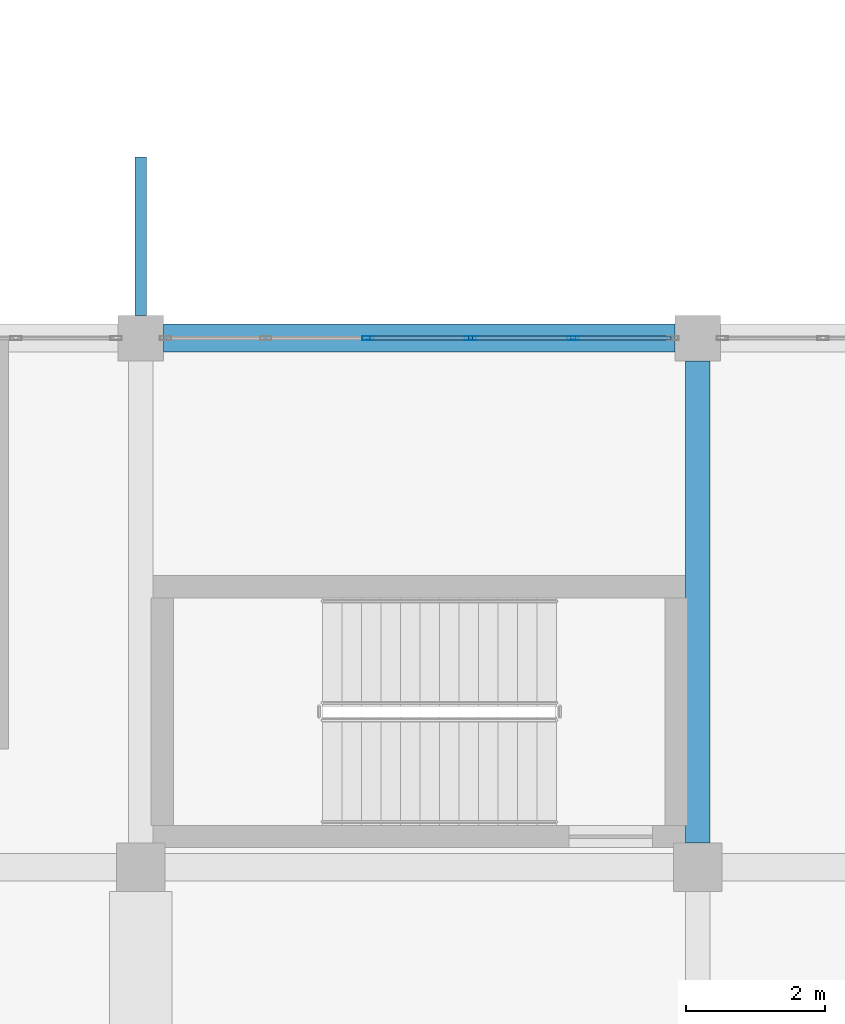
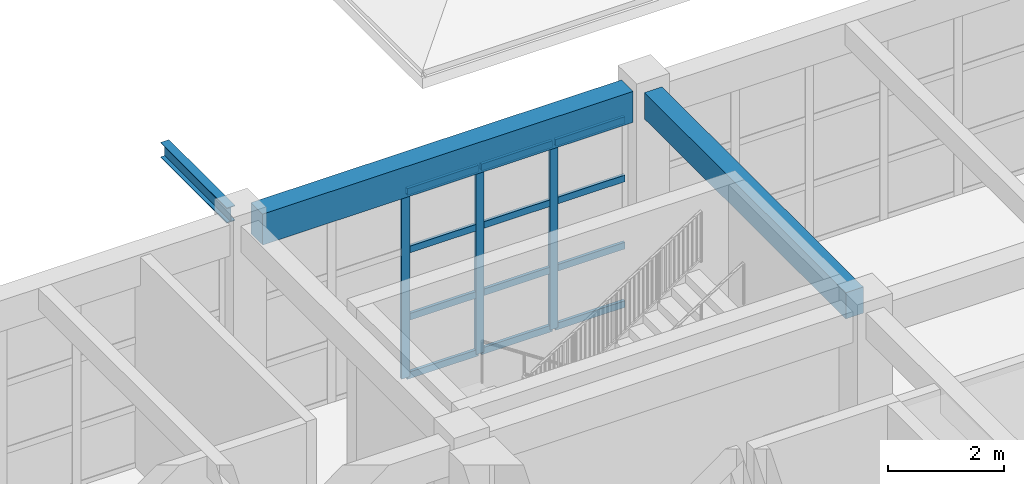
# One storey, part 27 of 50: 15 members, 3 beams, 1 element without a shape of its own.
"""IFC4 building model written with IfcOpenShell, lengths in metres."""

import ifcopenshell
import ifcopenshell.guid

model = None  # the IFC model being written
_history = None  # IfcOwnerHistory: only IFC2X3 demands one
_inside = {}  # id of a spatial element -> (the spatial element, [elements in it])
_under = {}  # id of a project, library or spatial element -> (it, [spatial elements below it])
_declared = {}  # id of a project -> (the project, [libraries it declares])
_typed = {}  # id of a type object -> (the type object, [elements of that type])
_made_of = {}  # id of a material, layer set ... -> (it, [elements and type objects made of it])


def new_model(schema):
    """Start an empty IFC model of exactly this schema.

    Asked for "IFC4X3", IfcOpenShell would pick the latest addendum, in which some entities
    have other attributes; the version numbers below select the first issue.
    IFC2X3 requires an IfcOwnerHistory on every rooted entity: one is made here for all.
    """
    global model, _history
    if schema == "IFC4X3":
        model = ifcopenshell.file(schema_version=(4, 3, 0, 0))
    else:
        model = ifcopenshell.file(schema=schema)
    _inside.clear()
    _under.clear()
    _declared.clear()
    _typed.clear()
    _made_of.clear()
    _history = None
    if model.schema == "IFC2X3":
        org = make("IfcOrganization", Name="unknown")
        user = make(
            "IfcPersonAndOrganization",
            ThePerson=make("IfcPerson", FamilyName="unknown"),
            TheOrganization=org,
        )
        app = make(
            "IfcApplication",
            ApplicationDeveloper=org,
            Version="unknown",
            ApplicationFullName="unknown",
            ApplicationIdentifier="unknown",
        )
        _history = make(
            "IfcOwnerHistory",
            OwningUser=user,
            OwningApplication=app,
            ChangeAction="ADDED",
            CreationDate=0,
        )
    return model


def make(cls, **values):
    """One entity of the class cls with the attributes given. An attribute that is None is left unset."""
    return model.create_entity(
        cls, **{name: value for name, value in values.items() if value is not None}
    )


def rooted(cls, **values):
    """An entity with a GlobalId (a new one), such as an element, a storey or a relation."""
    return make(cls, GlobalId=ifcopenshell.guid.new(), OwnerHistory=_history, **values)


def si_unit(unit_type, name, prefix=None):
    """IfcSIUnit, for example si_unit("LENGTHUNIT", "METRE", prefix="MILLI")."""
    return make("IfcSIUnit", UnitType=unit_type, Prefix=prefix, Name=name)


def assignment(units):
    """IfcUnitAssignment: the units of a project."""
    return None if units is None else make("IfcUnitAssignment", Units=units)


def point(xyz):
    """IfcCartesianPoint."""
    return None if xyz is None else make("IfcCartesianPoint", Coordinates=xyz)


def direction(xyz):
    """IfcDirection."""
    return None if xyz is None else make("IfcDirection", DirectionRatios=xyz)


def frame(location, z_axis=None, x_axis=None):
    """IfcAxis2Placement3D, a coordinate frame: its origin and axes. An axis left out is left unset."""
    return make(
        "IfcAxis2Placement3D",
        Location=point(location),
        Axis=direction(z_axis),
        RefDirection=direction(x_axis),
    )


def frame_2d(location, x_axis=None):
    """IfcAxis2Placement2D, a coordinate frame in the plane: its origin and x axis."""
    return make(
        "IfcAxis2Placement2D", Location=point(location), RefDirection=direction(x_axis)
    )


def origin():
    """The frame at (0, 0, 0) with its axes left unset."""
    return frame((0.0, 0.0, 0.0))


def origin_2d():
    """The frame at (0, 0) in the plane with its x axis left unset."""
    return frame_2d((0.0, 0.0))


def place(relative_to, where):
    """IfcLocalPlacement: puts the frame where relative to a parent placement (None: the world)."""
    return make(
        "IfcLocalPlacement", PlacementRelTo=relative_to, RelativePlacement=where
    )


def context(
    kind, dimensions, precision=None, world=None, true_north=None, identifier=None
):
    """IfcGeometricRepresentationContext, for example the 3D "Model" context."""
    return make(
        "IfcGeometricRepresentationContext",
        ContextIdentifier=identifier,
        ContextType=kind,
        CoordinateSpaceDimension=dimensions,
        Precision=precision,
        WorldCoordinateSystem=world,
        TrueNorth=true_north,
    )


def subcontext(parent, identifier, kind, view, scale=None):
    """IfcGeometricRepresentationSubContext, for example "Body" below "Model"."""
    return make(
        "IfcGeometricRepresentationSubContext",
        ContextIdentifier=identifier,
        ContextType=kind,
        ParentContext=parent,
        TargetScale=scale,
        TargetView=view,
    )


def project(units=None, contexts=None):
    """IfcProject with its units and contexts."""
    return rooted(
        "IfcProject",
        Name="project",
        RepresentationContexts=contexts,
        UnitsInContext=assignment(units),
    )


def spatial(cls, under=None, at=None, **own):
    """A site, building, storey or space (cls), placed at a placement, below another one or the project."""
    s = rooted(cls, ObjectPlacement=at, **own)
    if under is not None:
        _under.setdefault(under.id(), (under, []))[1].append(s)
    return s


def profile(cls, at=None, kind="AREA", **sizes):
    """A parametric profile (cls). Its sizes go by their IFC names, for example OverallWidth=200.0."""
    return make(cls, ProfileType=kind, Position=at, **sizes)


def rectangle(**sizes):
    """IfcRectangleProfileDef."""
    return profile("IfcRectangleProfileDef", **sizes)


def hollow_rectangle(**sizes):
    """IfcRectangleHollowProfileDef."""
    return profile("IfcRectangleHollowProfileDef", **sizes)


def i_section(**sizes):
    """IfcIShapeProfileDef."""
    return profile("IfcIShapeProfileDef", **sizes)


def extrude(swept, where, along, depth):
    """IfcExtrudedAreaSolid: the profile swept, set in the frame where, extruded along a direction by depth."""
    return make(
        "IfcExtrudedAreaSolid",
        SweptArea=swept,
        Position=where,
        ExtrudedDirection=direction(along),
        Depth=depth,
    )


def shape(context_of_items, identifier, shape_type, items):
    """IfcShapeRepresentation: the items that make up one representation, for example the "Body"."""
    return make(
        "IfcShapeRepresentation",
        ContextOfItems=context_of_items,
        RepresentationIdentifier=identifier,
        RepresentationType=shape_type,
        Items=items,
    )


def material(Name=None, Category=None):
    """IfcMaterial."""
    return make("IfcMaterial", Name=Name, Category=Category)


def material_profile(
    of_material, cross_section, Name=None, Category=None, Priority=None
):
    """IfcMaterialProfile: a cross section and its material."""
    return make(
        "IfcMaterialProfile",
        Name=Name,
        Material=of_material,
        Profile=cross_section,
        Priority=Priority,
        Category=Category,
    )


def profile_set(profiles, Name=None, composite=None):
    """IfcMaterialProfileSet."""
    return make(
        "IfcMaterialProfileSet",
        Name=Name,
        MaterialProfiles=profiles,
        CompositeProfile=composite,
    )


def made_of(thing, what):
    """Note that an element or type object is made of a material, layer set ...; save() writes the relation."""
    if what is not None:
        _made_of.setdefault(what.id(), (what, []))[1].append(thing)
    return thing


def type_object(cls, material=None, **own):
    """A type object (cls), such as IfcWallType, which elements share."""
    return made_of(rooted(cls, **own), material)


def element(
    cls,
    number,
    at=None,
    inside=None,
    cuts=None,
    type_object=None,
    material=None,
    context=None,
    identifier="Body",
    shape_type=None,
    held_by="IfcProductDefinitionShape",
    body=None,
    shapes=None,
    **own,
):
    """One element of the class cls, such as IfcWall. Its Tag is "e" and its number.

    at: its placement. inside: the storey or other place that contains it. cuts: it is an
    opening in that element (IfcRelVoidsElement). A single representation is given by context,
    identifier, shape_type and body (its items); several are given by shapes. held_by: the class
    of the entity that holds the representations. save() writes the other relations.
    """
    e = rooted(cls, Tag="e%d" % number, ObjectPlacement=at, **own)
    if body is not None:
        shapes = [shape(context, identifier, shape_type, body)]
    if shapes is not None:
        e.Representation = make(held_by, Representations=shapes)
    if inside is not None:
        _inside.setdefault(inside.id(), (inside, []))[1].append(e)
    if cuts is not None:
        rooted(
            "IfcRelVoidsElement", RelatingBuildingElement=cuts, RelatedOpeningElement=e
        )
    if type_object is not None:
        _typed.setdefault(type_object.id(), (type_object, []))[1].append(e)
    return made_of(e, material)


def aggregate(whole, parts):
    """IfcRelAggregates: a whole, such as a stair, and the parts it consists of."""
    return rooted("IfcRelAggregates", RelatingObject=whole, RelatedObjects=parts)


def save(model, path):
    """Write the relations noted so far, then the file.

    IfcRelAggregates (storeys below a building ...), IfcRelContainedInSpatialStructure (elements
    in a storey), IfcRelDefinesByType, IfcRelAssociatesMaterial and IfcRelDeclares: one each for
    every whole, place, type object, material and project.
    """
    for whole, parts in _under.values():
        aggregate(whole, parts)
    for where, things in _inside.values():
        rooted(
            "IfcRelContainedInSpatialStructure",
            RelatedElements=things,
            RelatingStructure=where,
        )
    for kind, things in _typed.values():
        rooted("IfcRelDefinesByType", RelatedObjects=things, RelatingType=kind)
    for what, things in _made_of.values():
        rooted("IfcRelAssociatesMaterial", RelatedObjects=things, RelatingMaterial=what)
    for by, libraries in _declared.values():
        rooted("IfcRelDeclares", RelatingContext=by, RelatedDefinitions=libraries)
    model.write(path)


model = new_model("IFC4")

# Units and contexts
model_context = context("Model", 3, precision=1e-05, world=origin(), true_north=direction((0.0, 1.0)))
body_context = subcontext(model_context, "Body", "Model", "MODEL_VIEW")
ifc_project = project(units=[si_unit("LENGTHUNIT", "METRE"), si_unit("AREAUNIT", "SQUARE_METRE"), si_unit("VOLUMEUNIT", "CUBIC_METRE"), si_unit("PLANEANGLEUNIT", "RADIAN"), si_unit("MASSUNIT", "GRAM", prefix="KILO")], contexts=[model_context])

# Site, building, storey
site_placement = place(None, origin())
site = spatial("IfcSite", under=ifc_project, at=site_placement, CompositionType="ELEMENT")
building_placement = place(site_placement, origin())
building = spatial("IfcBuilding", under=site, at=building_placement, Name="Zantavel Square City Hall", CompositionType="ELEMENT")
storey_placement = place(building_placement, frame((0.0, 0.0, 18.89990234375)))
storey = spatial("IfcBuildingStorey", under=building, at=storey_placement, Name="L05", CompositionType="ELEMENT", Elevation=18.89990234375)

# Curtain wall, members
ifc_material_1 = material(Name="Anodised aluminium 6063-T6", Category="aluminium")
curtain_wall_type = type_object("IfcCurtainWallType", Name="Curtain Wall TRV1 7350x3920", PredefinedType="USERDEFINED", material=ifc_material_1)
curtain_wall_placement = place(storey_placement, origin())
curtain_wall = element("IfcCurtainWall", 1, at=curtain_wall_placement, inside=storey, type_object=curtain_wall_type, Name="L05 Glazed Curtain Wall CW-L05-127", ObjectType="GLAZED CURTAIN WALL", PredefinedType="USERDEFINED")
ifc_material_profile_1 = material_profile(ifc_material_1, hollow_rectangle(XDim=0.06005859375, YDim=0.1650390625, WallThickness=0.00390625, at=origin_2d()), Name="ALU 60x165x4")
ifc_profile_set_1 = profile_set([ifc_material_profile_1], Name="Anodised aluminium 6063-T6")
member_type_1 = type_object("IfcMemberType", Name="CW Council Gallery Mullion ALU 60x165x4", PredefinedType="MULLION", material=ifc_profile_set_1)
member_1_placement = place(storey_placement, frame((99.264892578125, 68.39990234375, 0.0), z_axis=(0.0, 0.0, 1.0), x_axis=(0.0, 1.0, 0.0)))
member_1 = element("IfcMember", 2, at=member_1_placement, type_object=member_type_1, Name="CW-127 mullion 3", PredefinedType="MULLION", context=body_context, shape_type="SweptSolid", body=[
    extrude(hollow_rectangle(XDim=0.06005859375, YDim=0.1650390625, WallThickness=0.00390625, at=origin_2d()), origin(), (0.0, 0.0, 1.0), 3.920166015625),
])
member_2_placement = place(storey_placement, frame((100.735107421875, 68.39990234375, 0.0), z_axis=(0.0, 0.0, 1.0), x_axis=(0.0, 1.0, 0.0)))
member_2 = element("IfcMember", 3, at=member_2_placement, type_object=member_type_1, Name="CW-127 mullion 4", PredefinedType="MULLION", context=body_context, shape_type="SweptSolid", body=[
    extrude(hollow_rectangle(XDim=0.06005859375, YDim=0.1650390625, WallThickness=0.00390625, at=origin_2d()), origin(), (0.0, 0.0, 1.0), 3.920166015625),
])
member_3_placement = place(storey_placement, frame((102.205078125, 68.39990234375, 0.0), z_axis=(0.0, 0.0, 1.0), x_axis=(0.0, 1.0, 0.0)))
member_3 = element("IfcMember", 4, at=member_3_placement, type_object=member_type_1, Name="CW-127 mullion 5", PredefinedType="MULLION", context=body_context, shape_type="SweptSolid", body=[
    extrude(hollow_rectangle(XDim=0.06005859375, YDim=0.1650390625, WallThickness=0.00390625, at=origin_2d()), origin(), (0.0, 0.0, 1.0), 3.920166015625),
])
ifc_material_profile_2 = material_profile(ifc_material_1, hollow_rectangle(XDim=0.06005859375, YDim=0.139892578125, WallThickness=0.00390625, at=origin_2d()), Name="ALU 60x140x4")
ifc_profile_set_2 = profile_set([ifc_material_profile_2], Name="Anodised aluminium 6063-T6")
member_type_2 = type_object("IfcMemberType", Name="CW Transom ALU 60x140x4", PredefinedType="USERDEFINED", material=ifc_profile_set_2)
member_4_placement = place(storey_placement, frame((99.294921875, 68.39990234375, 0.030029296875), z_axis=(1.0, 0.0, 0.0), x_axis=(0.0, 1.0, 0.0)))
member_4 = element("IfcMember", 5, at=member_4_placement, type_object=member_type_2, Name="CW-127 transom 3.1", ObjectType="TRANSOM", PredefinedType="USERDEFINED", context=body_context, shape_type="SweptSolid", body=[
    extrude(hollow_rectangle(XDim=0.06005859375, YDim=0.139892578125, WallThickness=0.00390625, at=origin_2d()), origin(), (0.0, 0.0, 1.0), 1.41015625),
])
member_5_placement = place(storey_placement, frame((99.294921875, 68.39990234375, 1.254150390625), z_axis=(1.0, 0.0, 0.0), x_axis=(0.0, 1.0, 0.0)))
member_5 = element("IfcMember", 6, at=member_5_placement, type_object=member_type_2, Name="CW-127 transom 3.2", ObjectType="TRANSOM", PredefinedType="USERDEFINED", context=body_context, shape_type="SweptSolid", body=[
    extrude(hollow_rectangle(XDim=0.06005859375, YDim=0.139892578125, WallThickness=0.00390625, at=origin_2d()), origin(), (0.0, 0.0, 1.0), 1.41015625),
])
member_6_placement = place(storey_placement, frame((99.294921875, 68.39990234375, 2.666015625), z_axis=(1.0, 0.0, 0.0), x_axis=(0.0, 1.0, 0.0)))
member_6 = element("IfcMember", 7, at=member_6_placement, type_object=member_type_2, Name="CW-127 transom 3.3", ObjectType="TRANSOM", PredefinedType="USERDEFINED", context=body_context, shape_type="SweptSolid", body=[
    extrude(hollow_rectangle(XDim=0.06005859375, YDim=0.139892578125, WallThickness=0.00390625, at=origin_2d()), origin(), (0.0, 0.0, 1.0), 1.41015625),
])
member_7_placement = place(storey_placement, frame((99.294921875, 68.39990234375, 3.89013671875), z_axis=(1.0, 0.0, 0.0), x_axis=(0.0, 1.0, 0.0)))
member_7 = element("IfcMember", 8, at=member_7_placement, type_object=member_type_2, Name="CW-127 transom 3.4", ObjectType="TRANSOM", PredefinedType="USERDEFINED", context=body_context, shape_type="SweptSolid", body=[
    extrude(hollow_rectangle(XDim=0.06005859375, YDim=0.139892578125, WallThickness=0.00390625, at=origin_2d()), origin(), (0.0, 0.0, 1.0), 1.41015625),
])
member_8_placement = place(storey_placement, frame((100.764892578125, 68.39990234375, 0.030029296875), z_axis=(1.0, 0.0, 0.0), x_axis=(0.0, 1.0, 0.0)))
member_8 = element("IfcMember", 9, at=member_8_placement, type_object=member_type_2, Name="CW-127 transom 4.1", ObjectType="TRANSOM", PredefinedType="USERDEFINED", context=body_context, shape_type="SweptSolid", body=[
    extrude(hollow_rectangle(XDim=0.06005859375, YDim=0.139892578125, WallThickness=0.00390625, at=origin_2d()), origin(), (0.0, 0.0, 1.0), 1.41015625),
])
member_9_placement = place(storey_placement, frame((100.764892578125, 68.39990234375, 1.254150390625), z_axis=(1.0, 0.0, 0.0), x_axis=(0.0, 1.0, 0.0)))
member_9 = element("IfcMember", 10, at=member_9_placement, type_object=member_type_2, Name="CW-127 transom 4.2", ObjectType="TRANSOM", PredefinedType="USERDEFINED", context=body_context, shape_type="SweptSolid", body=[
    extrude(hollow_rectangle(XDim=0.06005859375, YDim=0.139892578125, WallThickness=0.00390625, at=origin_2d()), origin(), (0.0, 0.0, 1.0), 1.41015625),
])
member_10_placement = place(storey_placement, frame((100.764892578125, 68.39990234375, 2.666015625), z_axis=(1.0, 0.0, 0.0), x_axis=(0.0, 1.0, 0.0)))
member_10 = element("IfcMember", 11, at=member_10_placement, type_object=member_type_2, Name="CW-127 transom 4.3", ObjectType="TRANSOM", PredefinedType="USERDEFINED", context=body_context, shape_type="SweptSolid", body=[
    extrude(hollow_rectangle(XDim=0.06005859375, YDim=0.139892578125, WallThickness=0.00390625, at=origin_2d()), origin(), (0.0, 0.0, 1.0), 1.41015625),
])
member_11_placement = place(storey_placement, frame((100.764892578125, 68.39990234375, 3.89013671875), z_axis=(1.0, 0.0, 0.0), x_axis=(0.0, 1.0, 0.0)))
member_11 = element("IfcMember", 12, at=member_11_placement, type_object=member_type_2, Name="CW-127 transom 4.4", ObjectType="TRANSOM", PredefinedType="USERDEFINED", context=body_context, shape_type="SweptSolid", body=[
    extrude(hollow_rectangle(XDim=0.06005859375, YDim=0.139892578125, WallThickness=0.00390625, at=origin_2d()), origin(), (0.0, 0.0, 1.0), 1.41015625),
])
member_12_placement = place(storey_placement, frame((102.235107421875, 68.39990234375, 0.030029296875), z_axis=(1.0, 0.0, 0.0), x_axis=(0.0, 1.0, 0.0)))
member_12 = element("IfcMember", 13, at=member_12_placement, type_object=member_type_2, Name="CW-127 transom 5.1", ObjectType="TRANSOM", PredefinedType="USERDEFINED", context=body_context, shape_type="SweptSolid", body=[
    extrude(hollow_rectangle(XDim=0.06005859375, YDim=0.139892578125, WallThickness=0.00390625, at=origin_2d()), origin(), (0.0, 0.0, 1.0), 1.3798828125),
])
member_13_placement = place(storey_placement, frame((102.235107421875, 68.39990234375, 1.254150390625), z_axis=(1.0, 0.0, 0.0), x_axis=(0.0, 1.0, 0.0)))
member_13 = element("IfcMember", 14, at=member_13_placement, type_object=member_type_2, Name="CW-127 transom 5.2", ObjectType="TRANSOM", PredefinedType="USERDEFINED", context=body_context, shape_type="SweptSolid", body=[
    extrude(hollow_rectangle(XDim=0.06005859375, YDim=0.139892578125, WallThickness=0.00390625, at=origin_2d()), origin(), (0.0, 0.0, 1.0), 1.3798828125),
])
member_14_placement = place(storey_placement, frame((102.235107421875, 68.39990234375, 2.666015625), z_axis=(1.0, 0.0, 0.0), x_axis=(0.0, 1.0, 0.0)))
member_14 = element("IfcMember", 15, at=member_14_placement, type_object=member_type_2, Name="CW-127 transom 5.3", ObjectType="TRANSOM", PredefinedType="USERDEFINED", context=body_context, shape_type="SweptSolid", body=[
    extrude(hollow_rectangle(XDim=0.06005859375, YDim=0.139892578125, WallThickness=0.00390625, at=origin_2d()), origin(), (0.0, 0.0, 1.0), 1.3798828125),
])
member_15_placement = place(storey_placement, frame((102.235107421875, 68.39990234375, 3.89013671875), z_axis=(1.0, 0.0, 0.0), x_axis=(0.0, 1.0, 0.0)))
member_15 = element("IfcMember", 16, at=member_15_placement, type_object=member_type_2, Name="CW-127 transom 5.4", ObjectType="TRANSOM", PredefinedType="USERDEFINED", context=body_context, shape_type="SweptSolid", body=[
    extrude(hollow_rectangle(XDim=0.06005859375, YDim=0.139892578125, WallThickness=0.00390625, at=origin_2d()), origin(), (0.0, 0.0, 1.0), 1.3798828125),
])
aggregate(curtain_wall, [member_1, member_2, member_3, member_4, member_5, member_6, member_7, member_8, member_9, member_10, member_11, member_12, member_13, member_14, member_15])

# Beams
ifc_material_2 = material(Name="Concrete C35/45", Category="concrete")
ifc_material_profile_3 = material_profile(ifc_material_2, rectangle(XDim=0.39990234375, YDim=0.64990234375, at=origin_2d()), Name="RC 400x650")
ifc_profile_set_3 = profile_set([ifc_material_profile_3], Name="Concrete C35/45")
beam_type_1 = type_object("IfcBeamType", Name="Frame Beam RC 400x650 C35/45", PredefinedType="BEAM", material=ifc_profile_set_3)
beam_1_placement = place(storey_placement, frame((96.324951171875, 68.39990234375, 4.2451171875), z_axis=(1.0, 0.0, 0.0), x_axis=(0.0, 1.0, 0.0)))
element("IfcBeam", 17, at=beam_1_placement, inside=storey, type_object=beam_type_1, Name="L05 Girder BMX-L05-0960-0684", PredefinedType="BEAM", context=body_context, shape_type="SweptSolid", body=[
    extrude(rectangle(XDim=0.39990234375, YDim=0.64990234375, at=origin_2d()), origin(), (0.0, 0.0, 1.0), 7.35009765625),
])
ifc_material_profile_4 = material_profile(ifc_material_2, rectangle(XDim=0.35009765625, YDim=0.550048828125, at=origin_2d()), Name="RC 350x550")
ifc_profile_set_4 = profile_set([ifc_material_profile_4], Name="Concrete C35/45")
beam_type_2 = type_object("IfcBeamType", Name="Secondary Beam RC 350x550 C35/45", PredefinedType="BEAM", material=ifc_profile_set_4)
beam_2_placement = place(storey_placement, frame((104.0, 61.14990234375, 4.295166015625), z_axis=(0.0, 1.0, 0.0), x_axis=(-1.0, 0.0, 0.0)))
element("IfcBeam", 18, at=beam_2_placement, inside=storey, type_object=beam_type_2, Name="L05 Beam BMY-L05-1040-0608", PredefinedType="BEAM", context=body_context, shape_type="SweptSolid", body=[
    extrude(rectangle(XDim=0.35009765625, YDim=0.550048828125, at=origin_2d()), origin(), (0.0, 0.0, 1.0), 6.925048828125),
])
ifc_material_3 = material(Name="Steel ASTM A992 Grade 50", Category="steel")
ifc_material_profile_5 = material_profile(ifc_material_3, i_section(OverallWidth=0.1669921875, OverallDepth=0.31689453125, WebThickness=0.007568359375, FlangeThickness=0.01318359375, at=origin_2d()), Name="W310x52")
ifc_profile_set_5 = profile_set([ifc_material_profile_5], Name="Steel ASTM A992 Grade 50")
beam_type_3 = type_object("IfcBeamType", Name="Tray Corner Cantilever Outrigger W310x52", PredefinedType="BEAM", material=ifc_profile_set_5)
beam_3_placement = place(storey_placement, frame((96.0, 68.72509765625, 4.361572265625), z_axis=(0.0, 1.0, 0.0), x_axis=(-1.0, 0.0, 0.0)))
element("IfcBeam", 19, at=beam_3_placement, inside=storey, type_object=beam_type_3, Name="L05 Cantera Tray Outrigger N96", PredefinedType="BEAM", context=body_context, shape_type="SweptSolid", body=[
    extrude(i_section(OverallWidth=0.1669921875, OverallDepth=0.31689453125, WebThickness=0.007568359375, FlangeThickness=0.01318359375, at=origin_2d()), origin(), (0.0, 0.0, 1.0), 2.27490234375),
])

save(model, "model.ifc")
